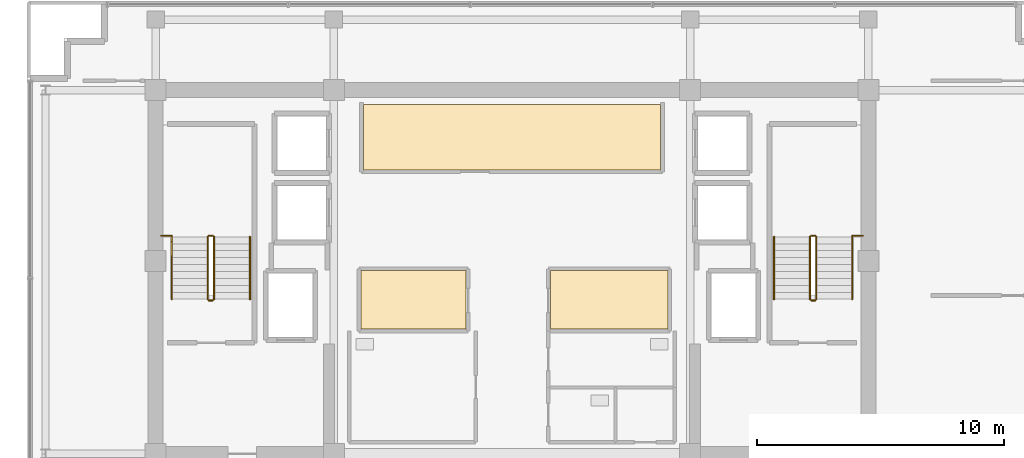
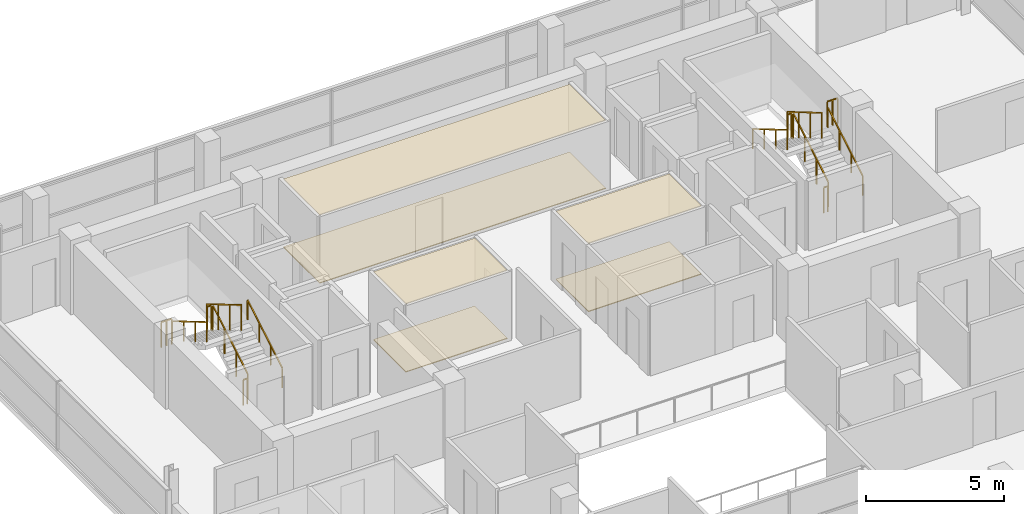
# One storey, part 20 of 21: 14 railings, 6 coverings.
"""IFC4 building model written with IfcOpenShell, lengths in metres."""

from ifc_helpers import new_model, si_unit, direction, frame, origin, origin_2d, place, context, subcontext, project, spatial, polyline, rectangle, outline, extrude, material, layer, layer_set, type_object, element, save


model = new_model("IFC4")

# Units and contexts
model_context = context("Model", 3, precision=1e-05, world=origin(), true_north=direction((0.0, 1.0)))
body_context = subcontext(model_context, "Body", "Model", "MODEL_VIEW")
ifc_project = project(units=[si_unit("LENGTHUNIT", "METRE"), si_unit("AREAUNIT", "SQUARE_METRE"), si_unit("VOLUMEUNIT", "CUBIC_METRE"), si_unit("PLANEANGLEUNIT", "RADIAN"), si_unit("MASSUNIT", "GRAM", prefix="KILO")], contexts=[model_context])

# Site, building, storey
site_placement = place(None, origin())
site = spatial("IfcSite", under=ifc_project, at=site_placement, CompositionType="ELEMENT")
building_placement = place(site_placement, origin())
building = spatial("IfcBuilding", under=site, at=building_placement, Name="Zarnakvel Exchange Tower", CompositionType="ELEMENT")
storey_placement = place(building_placement, frame((0.0, 0.0, 255.10009765625)))
storey = spatial("IfcBuildingStorey", under=building, at=storey_placement, Name="L72", CompositionType="ELEMENT", Elevation=255.10009765625)

# Coverings
ifc_material_1 = material(Name="Perforated Bronze Acoustic Metal Ceiling", Category="aluminium")
ifc_layer_1 = layer(ifc_material_1, 0.02001953125)
ifc_layer_set_1 = layer_set([ifc_layer_1], Name="Perforated Bronze Acoustic Metal Ceiling")
covering_type_1 = type_object("IfcCoveringType", Name="CLG-01", PredefinedType="CEILING", material=ifc_layer_set_1)
covering_1_placement = place(storey_placement, frame((0.0, 0.0, 3.014892578125)))
element("IfcCovering", 1, at=covering_1_placement, inside=storey, type_object=covering_type_1, Name="L72 Suspended Acoustic Ceiling (Market Data Archive Suite)", PredefinedType="CEILING", context=body_context, shape_type="SweptSolid", body=[
    extrude(outline(polyline([(-6.0, 12.919921875), (6.0, 12.919921875), (6.0, 10.280029296875), (-6.0, 10.280029296875), (-6.0, 12.919921875)])), origin(), (0.0, 0.0, 1.0), 0.02001953125),
])
covering_2_placement = place(storey_placement, frame((0.0, 0.0, 3.014892578125)))
element("IfcCovering", 2, at=covering_2_placement, inside=storey, type_object=covering_type_1, Name="L72 Suspended Acoustic Ceiling (Sovereign Compliance Office)", PredefinedType="CEILING", context=body_context, shape_type="SweptSolid", body=[
    extrude(outline(polyline([(-6.10009765625, 6.199951171875), (-1.85009765625, 6.199951171875), (-1.85009765625, 3.840087890625), (-6.10009765625, 3.840087890625), (-6.10009765625, 6.199951171875)])), origin(), (0.0, 0.0, 1.0), 0.02001953125),
])
covering_3_placement = place(storey_placement, frame((0.0, 0.0, 3.014892578125)))
element("IfcCovering", 3, at=covering_3_placement, inside=storey, type_object=covering_type_1, Name="L72 Suspended Acoustic Ceiling (Depository Legal Office)", PredefinedType="CEILING", context=body_context, shape_type="SweptSolid", body=[
    extrude(outline(polyline([(1.550048828125, 6.199951171875), (6.300048828125, 6.199951171875), (6.300048828125, 3.840087890625), (1.550048828125, 3.840087890625), (1.550048828125, 6.199951171875)])), origin(), (0.0, 0.0, 1.0), 0.02001953125),
])
ifc_material_2 = material(Name="Heavy-Duty Raised Access Floor Panel", Category="steel")
ifc_layer_2 = layer(ifc_material_2, 0.034912109375)
ifc_layer_set_2 = layer_set([ifc_layer_2], Name="Heavy-Duty Raised Access Floor Panel")
covering_type_2 = type_object("IfcCoveringType", Name="FLR-02", PredefinedType="FLOORING", material=ifc_layer_set_2)
covering_4_placement = place(storey_placement, origin())
element("IfcCovering", 4, at=covering_4_placement, inside=storey, type_object=covering_type_2, Name="L72 Floor Finish (Market Data Archive Suite)", PredefinedType="FLOORING", context=body_context, shape_type="SweptSolid", body=[
    extrude(outline(polyline([(-6.0, 12.919921875), (6.0, 12.919921875), (6.0, 10.280029296875), (-6.0, 10.280029296875), (-6.0, 12.919921875)])), origin(), (0.0, 0.0, 1.0), 0.034912109375),
])
covering_5_placement = place(storey_placement, origin())
element("IfcCovering", 5, at=covering_5_placement, inside=storey, type_object=covering_type_2, Name="L72 Floor Finish (Sovereign Compliance Office)", PredefinedType="FLOORING", context=body_context, shape_type="SweptSolid", body=[
    extrude(outline(polyline([(-6.10009765625, 6.199951171875), (-1.85009765625, 6.199951171875), (-1.85009765625, 3.840087890625), (-6.10009765625, 3.840087890625), (-6.10009765625, 6.199951171875)])), origin(), (0.0, 0.0, 1.0), 0.034912109375),
])
covering_6_placement = place(storey_placement, origin())
element("IfcCovering", 6, at=covering_6_placement, inside=storey, type_object=covering_type_2, Name="L72 Floor Finish (Depository Legal Office)", PredefinedType="FLOORING", context=body_context, shape_type="SweptSolid", body=[
    extrude(outline(polyline([(1.550048828125, 6.199951171875), (6.300048828125, 6.199951171875), (6.300048828125, 3.840087890625), (1.550048828125, 3.840087890625), (1.550048828125, 6.199951171875)])), origin(), (0.0, 0.0, 1.0), 0.034912109375),
])

# Railings
ifc_material_3 = material(Name="Brushed Stainless Steel", Category="steel")
railing_type_1 = type_object("IfcRailingType", Name="HR-01", PredefinedType="HANDRAIL", material=ifc_material_3)
railing_1_placement = place(storey_placement, frame((-10.590087890625, 5.050048828125, 0.164794921875)))
element("IfcRailing", 7, at=railing_1_placement, inside=storey, type_object=railing_type_1, Name="L72 ST-01 stair handrail 1", PredefinedType="HANDRAIL", context=body_context, shape_type="SweptSolid", body=[
    extrude(rectangle(XDim=0.048095703125, YDim=0.048095703125, at=origin_2d()), frame((0.0, 0.0, 0.8759765625), z_axis=(0.0, 0.86152411907, 0.507716645641), x_axis=(-1.0, 0.0, 0.0)), (0.0, 0.0, 1.0), 2.925048828125),
    extrude(rectangle(XDim=0.0419921875, YDim=0.0419921875, at=origin_2d()), origin(), (0.0, 0.0, 1.0), 0.851806640625),
    extrude(rectangle(XDim=0.0419921875, YDim=0.0419921875, at=origin_2d()), frame((0.0, 0.840087890625, 0.4951171875)), (0.0, 0.0, 1.0), 0.851806640625),
    extrude(rectangle(XDim=0.0419921875, YDim=0.0419921875, at=origin_2d()), frame((0.0, 1.679931640625, 0.989990234375)), (0.0, 0.0, 1.0), 0.851806640625),
    extrude(rectangle(XDim=0.0419921875, YDim=0.0419921875, at=origin_2d()), frame((0.0, 2.52001953125, 1.485107421875)), (0.0, 0.0, 1.0), 0.851806640625),
])
railing_2_placement = place(storey_placement, frame((-13.75, 7.570068359375, 1.81494140625)))
element("IfcRailing", 8, at=railing_2_placement, inside=storey, type_object=railing_type_1, Name="L72 ST-01 stair handrail 2", PredefinedType="HANDRAIL", context=body_context, shape_type="SweptSolid", body=[
    extrude(rectangle(XDim=0.048095703125, YDim=0.048095703125, at=origin_2d()), frame((0.0, 0.0, 0.8759765625), z_axis=(0.0, -0.861560626758, 0.507654692109), x_axis=(1.0, 0.0, 0.0)), (0.0, 0.0, 1.0), 2.925048828125),
    extrude(rectangle(XDim=0.0419921875, YDim=0.0419921875, at=origin_2d()), origin(), (0.0, 0.0, 1.0), 0.851806640625),
    extrude(rectangle(XDim=0.0419921875, YDim=0.0419921875, at=origin_2d()), frame((0.0, -0.840087890625, 0.494873046875)), (0.0, 0.0, 1.0), 0.851806640625),
    extrude(rectangle(XDim=0.0419921875, YDim=0.0419921875, at=origin_2d()), frame((0.0, -1.679931640625, 0.989990234375)), (0.0, 0.0, 1.0), 0.851806640625),
    extrude(rectangle(XDim=0.0419921875, YDim=0.0419921875, at=origin_2d()), frame((0.0, -2.52001953125, 1.48486328125)), (0.0, 0.0, 1.0), 0.851806640625),
])
railing_3_placement = place(storey_placement, frame((13.75, 5.050048828125, 0.164794921875)))
element("IfcRailing", 9, at=railing_3_placement, inside=storey, type_object=railing_type_1, Name="L72 ST-02 stair handrail 1", PredefinedType="HANDRAIL", context=body_context, shape_type="SweptSolid", body=[
    extrude(rectangle(XDim=0.048095703125, YDim=0.048095703125, at=origin_2d()), frame((0.0, 0.0, 0.8759765625), z_axis=(0.0, 0.86152411907, 0.507716645641), x_axis=(-1.0, 0.0, 0.0)), (0.0, 0.0, 1.0), 2.925048828125),
    extrude(rectangle(XDim=0.0419921875, YDim=0.0419921875, at=origin_2d()), origin(), (0.0, 0.0, 1.0), 0.851806640625),
    extrude(rectangle(XDim=0.0419921875, YDim=0.0419921875, at=origin_2d()), frame((0.0, 0.840087890625, 0.4951171875)), (0.0, 0.0, 1.0), 0.851806640625),
    extrude(rectangle(XDim=0.0419921875, YDim=0.0419921875, at=origin_2d()), frame((0.0, 1.679931640625, 0.989990234375)), (0.0, 0.0, 1.0), 0.851806640625),
    extrude(rectangle(XDim=0.0419921875, YDim=0.0419921875, at=origin_2d()), frame((0.0, 2.52001953125, 1.485107421875)), (0.0, 0.0, 1.0), 0.851806640625),
])
railing_4_placement = place(storey_placement, frame((10.590087890625, 7.570068359375, 1.81494140625)))
element("IfcRailing", 10, at=railing_4_placement, inside=storey, type_object=railing_type_1, Name="L72 ST-02 stair handrail 2", PredefinedType="HANDRAIL", context=body_context, shape_type="SweptSolid", body=[
    extrude(rectangle(XDim=0.048095703125, YDim=0.048095703125, at=origin_2d()), frame((0.0, 0.0, 0.8759765625), z_axis=(0.0, -0.861560626758, 0.507654692109), x_axis=(1.0, 0.0, 0.0)), (0.0, 0.0, 1.0), 2.925048828125),
    extrude(rectangle(XDim=0.0419921875, YDim=0.0419921875, at=origin_2d()), origin(), (0.0, 0.0, 1.0), 0.851806640625),
    extrude(rectangle(XDim=0.0419921875, YDim=0.0419921875, at=origin_2d()), frame((0.0, -0.840087890625, 0.494873046875)), (0.0, 0.0, 1.0), 0.851806640625),
    extrude(rectangle(XDim=0.0419921875, YDim=0.0419921875, at=origin_2d()), frame((0.0, -1.679931640625, 0.989990234375)), (0.0, 0.0, 1.0), 0.851806640625),
    extrude(rectangle(XDim=0.0419921875, YDim=0.0419921875, at=origin_2d()), frame((0.0, -2.52001953125, 1.48486328125)), (0.0, 0.0, 1.0), 0.851806640625),
])
ifc_material_4 = material(Name="Architectural Bronze Anodised Aluminium", Category="aluminium")
railing_type_2 = type_object("IfcRailingType", Name="SG-01", PredefinedType="GUARDRAIL", material=ifc_material_4)
railing_5_placement = place(storey_placement, frame((-12.0400390625, 5.050048828125, 0.164794921875)))
element("IfcRailing", 11, at=railing_5_placement, inside=storey, type_object=railing_type_2, Name="L72 ST-01 stair guard 1", PredefinedType="GUARDRAIL", context=body_context, shape_type="SweptSolid", body=[
    extrude(rectangle(XDim=0.048095703125, YDim=0.048095703125, at=origin_2d()), frame((0.0, 0.0, 1.1259765625), z_axis=(0.0, 0.86152411907, 0.507716645641), x_axis=(-1.0, 0.0, 0.0)), (0.0, 0.0, 1.0), 2.925048828125),
    extrude(rectangle(XDim=0.0419921875, YDim=0.0419921875, at=origin_2d()), origin(), (0.0, 0.0, 1.0), 1.101806640625),
    extrude(rectangle(XDim=0.0419921875, YDim=0.0419921875, at=origin_2d()), frame((0.0, 0.840087890625, 0.4951171875)), (0.0, 0.0, 1.0), 1.101806640625),
    extrude(rectangle(XDim=0.0419921875, YDim=0.0419921875, at=origin_2d()), frame((0.0, 1.679931640625, 0.989990234375)), (0.0, 0.0, 1.0), 1.101806640625),
    extrude(rectangle(XDim=0.0419921875, YDim=0.0419921875, at=origin_2d()), frame((0.0, 2.52001953125, 1.485107421875)), (0.0, 0.0, 1.0), 1.101806640625),
])
railing_6_placement = place(storey_placement, frame((-12.090087890625, 7.6201171875, 1.64990234375)))
element("IfcRailing", 12, at=railing_6_placement, inside=storey, type_object=railing_type_2, Name="L72 ST-01 stair guard 2", PredefinedType="GUARDRAIL", context=body_context, shape_type="SweptSolid", body=[
    extrude(rectangle(XDim=0.048095703125, YDim=0.048095703125, at=origin_2d()), frame((0.0, 0.0, 1.1259765625), z_axis=(-1.0, 0.0, 0.0), x_axis=(0.0, -1.0, 0.0)), (0.0, 0.0, 1.0), 0.159912109375),
    extrude(rectangle(XDim=0.0419921875, YDim=0.0419921875, at=origin_2d()), origin(), (0.0, 0.0, 1.0), 1.101806640625),
    extrude(rectangle(XDim=0.0419921875, YDim=0.0419921875, at=origin_2d()), frame((-0.159912109375, 0.0, 0.0)), (0.0, 0.0, 1.0), 1.101806640625),
])
railing_7_placement = place(storey_placement, frame((-12.300048828125, 7.570068359375, 1.81494140625)))
element("IfcRailing", 13, at=railing_7_placement, inside=storey, type_object=railing_type_2, Name="L72 ST-01 stair guard 3", PredefinedType="GUARDRAIL", context=body_context, shape_type="SweptSolid", body=[
    extrude(rectangle(XDim=0.048095703125, YDim=0.048095703125, at=origin_2d()), frame((0.0, 0.0, 1.1259765625), z_axis=(0.0, -0.861560626758, 0.507654692109), x_axis=(1.0, 0.0, 0.0)), (0.0, 0.0, 1.0), 2.925048828125),
    extrude(rectangle(XDim=0.0419921875, YDim=0.0419921875, at=origin_2d()), origin(), (0.0, 0.0, 1.0), 1.101806640625),
    extrude(rectangle(XDim=0.0419921875, YDim=0.0419921875, at=origin_2d()), frame((0.0, -0.840087890625, 0.494873046875)), (0.0, 0.0, 1.0), 1.101806640625),
    extrude(rectangle(XDim=0.0419921875, YDim=0.0419921875, at=origin_2d()), frame((0.0, -1.679931640625, 0.989990234375)), (0.0, 0.0, 1.0), 1.101806640625),
    extrude(rectangle(XDim=0.0419921875, YDim=0.0419921875, at=origin_2d()), frame((0.0, -2.52001953125, 1.48486328125)), (0.0, 0.0, 1.0), 1.101806640625),
])
railing_8_placement = place(storey_placement, frame((-12.090087890625, 5.0, 0.0)))
element("IfcRailing", 14, at=railing_8_placement, inside=storey, type_object=railing_type_2, Name="L72 ST-01 stair guard 4", PredefinedType="GUARDRAIL", context=body_context, shape_type="SweptSolid", body=[
    extrude(rectangle(XDim=0.048095703125, YDim=0.048095703125, at=origin_2d()), frame((0.0, 0.0, 1.1259765625), z_axis=(-1.0, 0.0, 0.0), x_axis=(0.0, -1.0, 0.0)), (0.0, 0.0, 1.0), 0.159912109375),
    extrude(rectangle(XDim=0.0419921875, YDim=0.0419921875, at=origin_2d()), origin(), (0.0, 0.0, 1.0), 1.101806640625),
    extrude(rectangle(XDim=0.0419921875, YDim=0.0419921875, at=origin_2d()), frame((-0.159912109375, 0.0, 0.0)), (0.0, 0.0, 1.0), 1.101806640625),
])
railing_9_placement = place(storey_placement, frame((-14.179931640625, 7.610107421875, 1.64990234375)))
element("IfcRailing", 15, at=railing_9_placement, inside=storey, type_object=railing_type_2, Name="L72 ST-01 Landing Slot Guardrail", PredefinedType="GUARDRAIL", context=body_context, shape_type="SweptSolid", body=[
    extrude(rectangle(XDim=0.048095703125, YDim=0.048095703125, at=origin_2d()), frame((0.0, 0.0, 1.1259765625), z_axis=(1.0, 0.0, 0.0), x_axis=(0.0, 1.0, 0.0)), (0.0, 0.0, 1.0), 0.429931640625),
    extrude(rectangle(XDim=0.0419921875, YDim=0.0419921875, at=origin_2d()), origin(), (0.0, 0.0, 1.0), 1.101806640625),
    extrude(rectangle(XDim=0.0419921875, YDim=0.0419921875, at=origin_2d()), frame((0.21484375, 0.0, 0.0)), (0.0, 0.0, 1.0), 1.101806640625),
    extrude(rectangle(XDim=0.0419921875, YDim=0.0419921875, at=origin_2d()), frame((0.429931640625, 0.0, 0.0)), (0.0, 0.0, 1.0), 1.101806640625),
])
railing_10_placement = place(storey_placement, frame((12.300048828125, 5.050048828125, 0.164794921875)))
element("IfcRailing", 16, at=railing_10_placement, inside=storey, type_object=railing_type_2, Name="L72 ST-02 stair guard 1", PredefinedType="GUARDRAIL", context=body_context, shape_type="SweptSolid", body=[
    extrude(rectangle(XDim=0.048095703125, YDim=0.048095703125, at=origin_2d()), frame((0.0, 0.0, 1.1259765625), z_axis=(0.0, 0.86152411907, 0.507716645641), x_axis=(-1.0, 0.0, 0.0)), (0.0, 0.0, 1.0), 2.925048828125),
    extrude(rectangle(XDim=0.0419921875, YDim=0.0419921875, at=origin_2d()), origin(), (0.0, 0.0, 1.0), 1.101806640625),
    extrude(rectangle(XDim=0.0419921875, YDim=0.0419921875, at=origin_2d()), frame((0.0, 0.840087890625, 0.4951171875)), (0.0, 0.0, 1.0), 1.101806640625),
    extrude(rectangle(XDim=0.0419921875, YDim=0.0419921875, at=origin_2d()), frame((0.0, 1.679931640625, 0.989990234375)), (0.0, 0.0, 1.0), 1.101806640625),
    extrude(rectangle(XDim=0.0419921875, YDim=0.0419921875, at=origin_2d()), frame((0.0, 2.52001953125, 1.485107421875)), (0.0, 0.0, 1.0), 1.101806640625),
])
railing_11_placement = place(storey_placement, frame((12.25, 7.6201171875, 1.64990234375)))
element("IfcRailing", 17, at=railing_11_placement, inside=storey, type_object=railing_type_2, Name="L72 ST-02 stair guard 2", PredefinedType="GUARDRAIL", context=body_context, shape_type="SweptSolid", body=[
    extrude(rectangle(XDim=0.048095703125, YDim=0.048095703125, at=origin_2d()), frame((0.0, 0.0, 1.1259765625), z_axis=(-1.0, 0.0, 0.0), x_axis=(0.0, -1.0, 0.0)), (0.0, 0.0, 1.0), 0.159912109375),
    extrude(rectangle(XDim=0.0419921875, YDim=0.0419921875, at=origin_2d()), origin(), (0.0, 0.0, 1.0), 1.101806640625),
    extrude(rectangle(XDim=0.0419921875, YDim=0.0419921875, at=origin_2d()), frame((-0.159912109375, 0.0, 0.0)), (0.0, 0.0, 1.0), 1.101806640625),
])
railing_12_placement = place(storey_placement, frame((12.0400390625, 7.570068359375, 1.81494140625)))
element("IfcRailing", 18, at=railing_12_placement, inside=storey, type_object=railing_type_2, Name="L72 ST-02 stair guard 3", PredefinedType="GUARDRAIL", context=body_context, shape_type="SweptSolid", body=[
    extrude(rectangle(XDim=0.048095703125, YDim=0.048095703125, at=origin_2d()), frame((0.0, 0.0, 1.1259765625), z_axis=(0.0, -0.861560626758, 0.507654692109), x_axis=(1.0, 0.0, 0.0)), (0.0, 0.0, 1.0), 2.925048828125),
    extrude(rectangle(XDim=0.0419921875, YDim=0.0419921875, at=origin_2d()), origin(), (0.0, 0.0, 1.0), 1.101806640625),
    extrude(rectangle(XDim=0.0419921875, YDim=0.0419921875, at=origin_2d()), frame((0.0, -0.840087890625, 0.494873046875)), (0.0, 0.0, 1.0), 1.101806640625),
    extrude(rectangle(XDim=0.0419921875, YDim=0.0419921875, at=origin_2d()), frame((0.0, -1.679931640625, 0.989990234375)), (0.0, 0.0, 1.0), 1.101806640625),
    extrude(rectangle(XDim=0.0419921875, YDim=0.0419921875, at=origin_2d()), frame((0.0, -2.52001953125, 1.48486328125)), (0.0, 0.0, 1.0), 1.101806640625),
])
railing_13_placement = place(storey_placement, frame((12.25, 5.0, 0.0)))
element("IfcRailing", 19, at=railing_13_placement, inside=storey, type_object=railing_type_2, Name="L72 ST-02 stair guard 4", PredefinedType="GUARDRAIL", context=body_context, shape_type="SweptSolid", body=[
    extrude(rectangle(XDim=0.048095703125, YDim=0.048095703125, at=origin_2d()), frame((0.0, 0.0, 1.1259765625), z_axis=(-1.0, 0.0, 0.0), x_axis=(0.0, -1.0, 0.0)), (0.0, 0.0, 1.0), 0.159912109375),
    extrude(rectangle(XDim=0.0419921875, YDim=0.0419921875, at=origin_2d()), origin(), (0.0, 0.0, 1.0), 1.101806640625),
    extrude(rectangle(XDim=0.0419921875, YDim=0.0419921875, at=origin_2d()), frame((-0.159912109375, 0.0, 0.0)), (0.0, 0.0, 1.0), 1.101806640625),
])
railing_14_placement = place(storey_placement, frame((13.75, 7.610107421875, 1.64990234375)))
element("IfcRailing", 20, at=railing_14_placement, inside=storey, type_object=railing_type_2, Name="L72 ST-02 Landing Slot Guardrail", PredefinedType="GUARDRAIL", context=body_context, shape_type="SweptSolid", body=[
    extrude(rectangle(XDim=0.048095703125, YDim=0.048095703125, at=origin_2d()), frame((0.0, 0.0, 1.1259765625), z_axis=(1.0, 0.0, 0.0), x_axis=(0.0, 1.0, 0.0)), (0.0, 0.0, 1.0), 0.429931640625),
    extrude(rectangle(XDim=0.0419921875, YDim=0.0419921875, at=origin_2d()), origin(), (0.0, 0.0, 1.0), 1.101806640625),
    extrude(rectangle(XDim=0.0419921875, YDim=0.0419921875, at=origin_2d()), frame((0.21484375, 0.0, 0.0)), (0.0, 0.0, 1.0), 1.101806640625),
    extrude(rectangle(XDim=0.0419921875, YDim=0.0419921875, at=origin_2d()), frame((0.429931640625, 0.0, 0.0)), (0.0, 0.0, 1.0), 1.101806640625),
])

save(model, "model.ifc")
